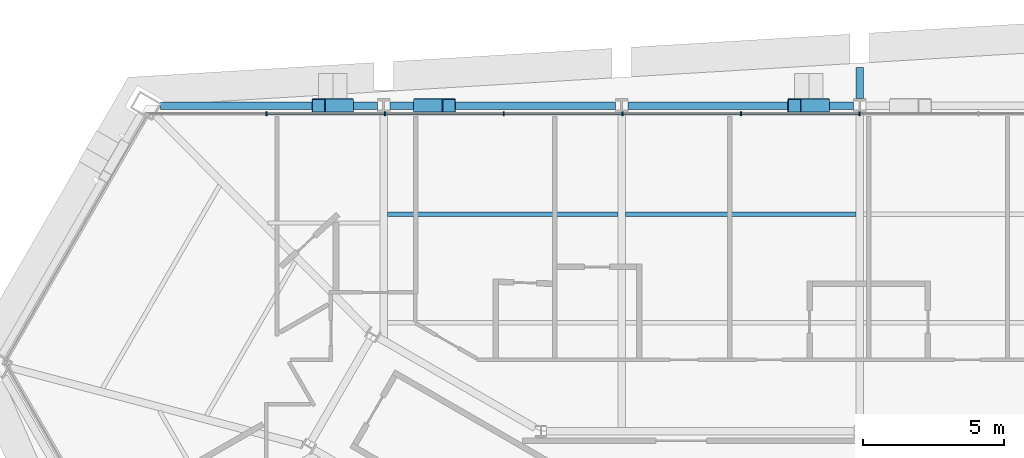
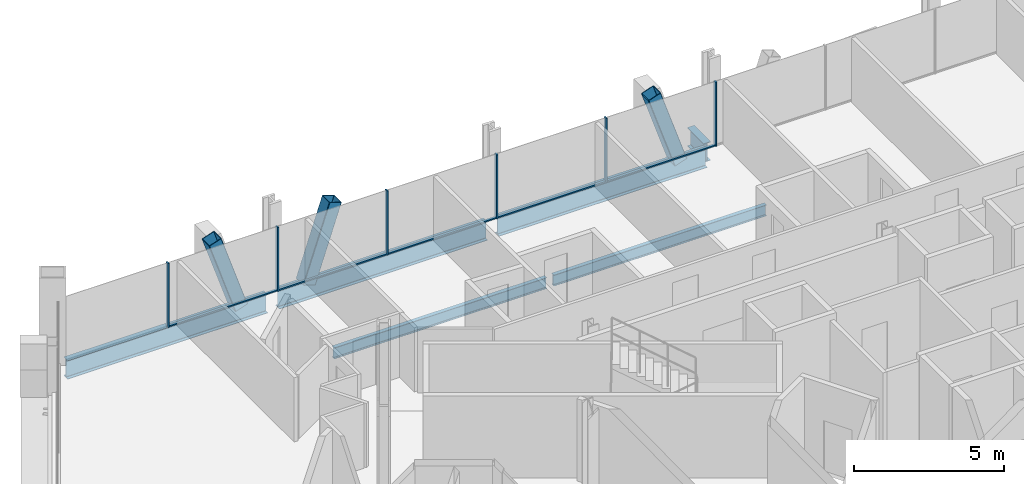
# One storey, part 6 of 17: 14 members, 6 beams, 1 element without a shape of its own.
"""IFC4 building model written with IfcOpenShell, lengths in metres."""

from ifc_helpers import new_model, si_unit, direction, frame, origin, origin_2d, place, context, subcontext, project, spatial, rectangle, hollow_rectangle, i_section, extrude, material, material_profile, profile_set, type_object, element, aggregate, save


model = new_model("IFC4")

# Units and contexts
model_context = context("Model", 3, precision=1e-05, world=origin(), true_north=direction((0.0, 1.0)))
body_context = subcontext(model_context, "Body", "Model", "MODEL_VIEW")
ifc_project = project(units=[si_unit("LENGTHUNIT", "METRE"), si_unit("AREAUNIT", "SQUARE_METRE"), si_unit("VOLUMEUNIT", "CUBIC_METRE"), si_unit("PLANEANGLEUNIT", "RADIAN"), si_unit("MASSUNIT", "GRAM", prefix="KILO")], contexts=[model_context])

# Site, building, storey
site_placement = place(None, origin())
site = spatial("IfcSite", under=ifc_project, at=site_placement, CompositionType="ELEMENT")
building_placement = place(site_placement, origin())
building = spatial("IfcBuilding", under=site, at=building_placement, Name="Verrane Prism Tower", CompositionType="ELEMENT")
storey_placement = place(building_placement, frame((0.0, 0.0, 40.39990234375)))
storey = spatial("IfcBuildingStorey", under=building, at=storey_placement, Name="L07", CompositionType="ELEMENT", Elevation=40.39990234375)

# Members
ifc_material_1 = material(Name="Steel A1085 Grade A", Category="steel")
ifc_material_profile_1 = material_profile(ifc_material_1, hollow_rectangle(XDim=0.508056640625, YDim=0.508056640625, WallThickness=0.025390625, InnerFilletRadius=0.0126953125, OuterFilletRadius=0.0380859375, at=origin_2d()), Name="HSS20x20x1")
ifc_profile_set_1 = profile_set([ifc_material_profile_1], Name="Steel A1085 Grade A")
member_type_1 = type_object("IfcMemberType", Name="Facade brace HSS20x20x1", PredefinedType="BRACE", material=ifc_profile_set_1)
for number, where, z_axis, x_axis, name in (
    (1, (-1.307861328125, 20.77001953125, -0.242431640625), (-0.318304411542, 0.0, 0.947988555623), (0.0, -1.0, 0.0), "Facade brace N3 L07"),
    (2, (-15.612060546875, 20.77001953125, -0.242431640625), (0.318235263597, 0.0, 0.948011770498), (0.0, 1.0, 0.0), "Facade brace N4 L07"),
):
    element("IfcMember", number, at=place(storey_placement, frame(where, z_axis=z_axis, x_axis=x_axis)), inside=storey, type_object=member_type_1, Name=name, PredefinedType="BRACE", context=body_context, shape_type="SweptSolid", body=[
        extrude(hollow_rectangle(XDim=0.508056640625, YDim=0.508056640625, WallThickness=0.025390625, InnerFilletRadius=0.0126953125, OuterFilletRadius=0.0380859375, at=origin_2d()), origin(), (0.0, 0.0, 1.0), 3.173095703125),
    ])
member_1_placement = place(storey_placement, frame((-18.226318359375, 20.77001953125, -0.242431640625), z_axis=(-0.317958621026, 0.0, 0.948104590916), x_axis=(0.0, -1.0, 0.0)))
element("IfcMember", 3, at=member_1_placement, inside=storey, type_object=member_type_1, Name="Facade brace N5 L07", PredefinedType="BRACE", context=body_context, shape_type="SweptSolid", body=[
    extrude(hollow_rectangle(XDim=0.508056640625, YDim=0.508056640625, WallThickness=0.025390625, InnerFilletRadius=0.0126953125, OuterFilletRadius=0.0380859375, at=origin_2d()), origin(), (0.0, 0.0, 1.0), 3.172607421875),
])

# Beams
ifc_material_2 = material(Name="Steel A992", Category="steel")
ifc_material_profile_2 = material_profile(ifc_material_2, i_section(OverallWidth=0.15234375, OverallDepth=0.449462890625, WebThickness=0.007568359375, FlangeThickness=0.0107421875, FilletRadius=0.01025390625, at=origin_2d()), Name="W18x35")
ifc_profile_set_2 = profile_set([ifc_material_profile_2], Name="Steel A992")
beam_type_1 = type_object("IfcBeamType", Name="Floor beam W18x35", PredefinedType="BEAM", material=ifc_profile_set_2)
beam_1_placement = place(storey_placement, frame((-8.326416015625, 16.913330078125, -0.384765625), z_axis=(1.0, 0.0, 0.0), x_axis=(0.0, 1.0, 0.0)))
element("IfcBeam", 4, at=beam_1_placement, inside=storey, type_object=beam_type_1, Name="Floor beam L07", PredefinedType="BEAM", context=body_context, shape_type="SweptSolid", body=[
    extrude(i_section(OverallWidth=0.15234375, OverallDepth=0.449462890625, WebThickness=0.007568359375, FlangeThickness=0.0107421875, FilletRadius=0.01025390625, at=origin_2d()), origin(), (0.0, 0.0, 1.0), 8.19287109375),
])
beam_2_placement = place(storey_placement, frame((-16.78662109375, 16.913330078125, -0.384765625), z_axis=(1.0, 0.0, 0.0), x_axis=(0.0, 1.0, 0.0)))
element("IfcBeam", 5, at=beam_2_placement, inside=storey, type_object=beam_type_1, Name="Floor beam L07", PredefinedType="BEAM", context=body_context, shape_type="SweptSolid", body=[
    extrude(i_section(OverallWidth=0.15234375, OverallDepth=0.449462890625, WebThickness=0.007568359375, FlangeThickness=0.0107421875, FilletRadius=0.01025390625, at=origin_2d()), origin(), (0.0, 0.0, 1.0), 8.193115234375),
])

# Curtain wall, members
ifc_material_3 = material(Name="Aluminium framed insulated glazing", Category="aluminium")
curtain_wall_type = type_object("IfcCurtainWallType", Name="Curtain wall CW-C 4200 module", PredefinedType="NOTDEFINED", material=ifc_material_3)
curtain_wall_placement = place(storey_placement, origin())
curtain_wall = element("IfcCurtainWall", 6, at=curtain_wall_placement, inside=storey, type_object=curtain_wall_type, Name="Glazed curtain wall north face L07", PredefinedType="NOTDEFINED")
ifc_material_4 = material(Name="Aluminium alloy 6063-T6", Category="aluminium")
ifc_material_profile_3 = material_profile(ifc_material_4, rectangle(XDim=0.139892578125, YDim=0.050048828125, at=origin_2d()), Name="Mullion 50x140 aluminium")
ifc_profile_set_3 = profile_set([ifc_material_profile_3], Name="Aluminium alloy 6063-T6")
member_type_2 = type_object("IfcMemberType", Name="Mullion 50x140 aluminium", PredefinedType="MULLION", material=ifc_profile_set_3)
member_2_placement = place(storey_placement, frame((0.0, 20.490966796875, 0.0), z_axis=(0.0, 0.0, 1.0), x_axis=(0.0, -1.0, 0.0)))
member_2 = element("IfcMember", 7, at=member_2_placement, type_object=member_type_2, Name="CW06.2 mullion 7", PredefinedType="MULLION", context=body_context, shape_type="SweptSolid", body=[
    extrude(rectangle(XDim=0.139892578125, YDim=0.050048828125, at=origin_2d()), origin(), (0.0, 0.0, 1.0), 2.613037109375),
])
member_3_placement = place(storey_placement, frame((-4.217041015625, 20.490966796875, 0.0), z_axis=(0.0, 0.0, 1.0), x_axis=(0.0, -1.0, 0.0)))
member_3 = element("IfcMember", 8, at=member_3_placement, type_object=member_type_2, Name="CW06.2 mullion 8", PredefinedType="MULLION", context=body_context, shape_type="SweptSolid", body=[
    extrude(rectangle(XDim=0.139892578125, YDim=0.050048828125, at=origin_2d()), origin(), (0.0, 0.0, 1.0), 2.613037109375),
])
member_4_placement = place(storey_placement, frame((-8.433837890625, 20.490966796875, 0.0), z_axis=(0.0, 0.0, 1.0), x_axis=(0.0, -1.0, 0.0)))
member_4 = element("IfcMember", 9, at=member_4_placement, type_object=member_type_2, Name="CW06.2 mullion 9", PredefinedType="MULLION", context=body_context, shape_type="SweptSolid", body=[
    extrude(rectangle(XDim=0.139892578125, YDim=0.050048828125, at=origin_2d()), origin(), (0.0, 0.0, 1.0), 2.613037109375),
])
member_5_placement = place(storey_placement, frame((-12.65087890625, 20.490966796875, 0.0), z_axis=(0.0, 0.0, 1.0), x_axis=(0.0, -1.0, 0.0)))
member_5 = element("IfcMember", 10, at=member_5_placement, type_object=member_type_2, Name="CW06.2 mullion 10", PredefinedType="MULLION", context=body_context, shape_type="SweptSolid", body=[
    extrude(rectangle(XDim=0.139892578125, YDim=0.050048828125, at=origin_2d()), origin(), (0.0, 0.0, 1.0), 2.613037109375),
])
member_6_placement = place(storey_placement, frame((-16.86767578125, 20.490966796875, 0.0), z_axis=(0.0, 0.0, 1.0), x_axis=(0.0, -1.0, 0.0)))
member_6 = element("IfcMember", 11, at=member_6_placement, type_object=member_type_2, Name="CW06.2 mullion 11", PredefinedType="MULLION", context=body_context, shape_type="SweptSolid", body=[
    extrude(rectangle(XDim=0.139892578125, YDim=0.050048828125, at=origin_2d()), origin(), (0.0, 0.0, 1.0), 2.613037109375),
])
member_7_placement = place(storey_placement, frame((-21.084716796875, 20.490966796875, 0.0), z_axis=(0.0, 0.0, 1.0), x_axis=(0.0, -1.0, 0.0)))
member_7 = element("IfcMember", 12, at=member_7_placement, type_object=member_type_2, Name="CW06.2 mullion 12", PredefinedType="MULLION", context=body_context, shape_type="SweptSolid", body=[
    extrude(rectangle(XDim=0.139892578125, YDim=0.050048828125, at=origin_2d()), origin(), (0.0, 0.0, 1.0), 2.613037109375),
])

# Beams
ifc_material_5 = material(Name="Steel A992", Category="steel")
ifc_material_profile_4 = material_profile(ifc_material_5, i_section(OverallWidth=0.2666015625, OverallDepth=0.76708984375, WebThickness=0.014892578125, FlangeThickness=0.023681640625, FilletRadius=0.0166015625, at=origin_2d()), Name="W30x124")
ifc_profile_set_4 = profile_set([ifc_material_profile_4], Name="Steel A992")
beam_type_2 = type_object("IfcBeamType", Name="Radial girder W30x124", PredefinedType="BEAM", material=ifc_profile_set_4)
beam_3_placement = place(storey_placement, frame((0.0, 21.031494140625, -0.603515625), z_axis=(0.0, 1.0, 0.0), x_axis=(-1.0, 0.0, 0.0)))
element("IfcBeam", 13, at=beam_3_placement, inside=storey, type_object=beam_type_2, Name="Cantilever girder L07", PredefinedType="BEAM", context=body_context, shape_type="SweptSolid", body=[
    extrude(i_section(OverallWidth=0.2666015625, OverallDepth=0.76708984375, WebThickness=0.014892578125, FlangeThickness=0.023681640625, FilletRadius=0.0166015625, at=origin_2d()), origin(), (0.0, 0.0, 1.0), 1.100341796875),
])
ifc_material_6 = material(Name="Steel A992", Category="steel")
ifc_material_profile_5 = material_profile(ifc_material_6, i_section(OverallWidth=0.2666015625, OverallDepth=0.7568359375, WebThickness=0.013916015625, FlangeThickness=0.019287109375, FilletRadius=0.0166015625, at=origin_2d()), Name="W30x108")
ifc_profile_set_5 = profile_set([ifc_material_profile_5], Name="Steel A992")
beam_type_3 = type_object("IfcBeamType", Name="Spandrel beam W30x108", PredefinedType="SPANDREL", material=ifc_profile_set_5)
for number, where, z_axis, x_axis, name in (
    (14, (-0.220947265625, 20.77001953125, -0.538330078125), (-1.0, 0.0, 0.0), (0.0, -1.0, 0.0), "Spandrel beam L07"),
    (15, (-8.680908203125, 20.77001953125, -0.538330078125), (-1.0, 0.0, 0.0), (0.0, -1.0, 0.0), "Spandrel beam L07"),
):
    element("IfcBeam", number, at=place(storey_placement, frame(where, z_axis=z_axis, x_axis=x_axis)), inside=storey, type_object=beam_type_3, Name=name, PredefinedType="SPANDREL", context=body_context, shape_type="SweptSolid", body=[
        extrude(i_section(OverallWidth=0.2666015625, OverallDepth=0.7568359375, WebThickness=0.013916015625, FlangeThickness=0.019287109375, FilletRadius=0.0166015625, at=origin_2d()), origin(), (0.0, 0.0, 1.0), 8.01806640625),
    ])
beam_4_placement = place(storey_placement, frame((-17.14111328125, 20.77001953125, -0.538330078125), z_axis=(-1.0, 0.0, 0.0), x_axis=(0.0, -1.0, 0.0)))
element("IfcBeam", 16, at=beam_4_placement, inside=storey, type_object=beam_type_3, Name="Spandrel beam L07", PredefinedType="SPANDREL", context=body_context, shape_type="SweptSolid", body=[
    extrude(i_section(OverallWidth=0.2666015625, OverallDepth=0.7568359375, WebThickness=0.013916015625, FlangeThickness=0.019287109375, FilletRadius=0.0166015625, at=origin_2d()), origin(), (0.0, 0.0, 1.0), 7.709228515625),
])

# Member
ifc_material_7 = material(Name="Aluminium alloy 6063-T6", Category="aluminium")
ifc_material_profile_6 = material_profile(ifc_material_7, rectangle(XDim=0.10009765625, YDim=0.050048828125, at=origin_2d()), Name="Transom 50x100 aluminium")
ifc_profile_set_6 = profile_set([ifc_material_profile_6], Name="Aluminium alloy 6063-T6")
member_type_3 = type_object("IfcMemberType", Name="Transom 50x100 aluminium", PredefinedType="USERDEFINED", material=ifc_profile_set_6)
member_8_placement = place(storey_placement, frame((-0.02490234375, 20.490966796875, 0.025146484375), z_axis=(-1.0, 0.0, 0.0), x_axis=(0.0, -1.0, 0.0)))
member_8 = element("IfcMember", 17, at=member_8_placement, type_object=member_type_3, Name="CW06.2 transom 7", ObjectType="TRANSOM", PredefinedType="USERDEFINED", context=body_context, shape_type="SweptSolid", body=[
    extrude(rectangle(XDim=0.10009765625, YDim=0.050048828125, at=origin_2d()), origin(), (0.0, 0.0, 1.0), 4.1669921875),
])

member_9_placement = place(storey_placement, frame((-4.241943359375, 20.490966796875, 0.025146484375), z_axis=(-1.0, 0.0, 0.0), x_axis=(0.0, -1.0, 0.0)))
member_9 = element("IfcMember", 18, at=member_9_placement, type_object=member_type_3, Name="CW06.2 transom 8", ObjectType="TRANSOM", PredefinedType="USERDEFINED", context=body_context, shape_type="SweptSolid", body=[
    extrude(rectangle(XDim=0.10009765625, YDim=0.050048828125, at=origin_2d()), origin(), (0.0, 0.0, 1.0), 4.1669921875),
])

member_10_placement = place(storey_placement, frame((-8.458984375, 20.490966796875, 0.025146484375), z_axis=(-1.0, 0.0, 0.0), x_axis=(0.0, -1.0, 0.0)))
member_10 = element("IfcMember", 19, at=member_10_placement, type_object=member_type_3, Name="CW06.2 transom 9", ObjectType="TRANSOM", PredefinedType="USERDEFINED", context=body_context, shape_type="SweptSolid", body=[
    extrude(rectangle(XDim=0.10009765625, YDim=0.050048828125, at=origin_2d()), origin(), (0.0, 0.0, 1.0), 4.166748046875),
])

member_11_placement = place(storey_placement, frame((-12.67578125, 20.490966796875, 0.025146484375), z_axis=(-1.0, 0.0, 0.0), x_axis=(0.0, -1.0, 0.0)))
member_11 = element("IfcMember", 20, at=member_11_placement, type_object=member_type_3, Name="CW06.2 transom 10", ObjectType="TRANSOM", PredefinedType="USERDEFINED", context=body_context, shape_type="SweptSolid", body=[
    extrude(rectangle(XDim=0.10009765625, YDim=0.050048828125, at=origin_2d()), origin(), (0.0, 0.0, 1.0), 4.1669921875),
])

member_12_placement = place(storey_placement, frame((-16.892822265625, 20.490966796875, 0.025146484375), z_axis=(-1.0, 0.0, 0.0), x_axis=(0.0, -1.0, 0.0)))
member_12 = element("IfcMember", 21, at=member_12_placement, type_object=member_type_3, Name="CW06.2 transom 11", ObjectType="TRANSOM", PredefinedType="USERDEFINED", context=body_context, shape_type="SweptSolid", body=[
    extrude(rectangle(XDim=0.10009765625, YDim=0.050048828125, at=origin_2d()), origin(), (0.0, 0.0, 1.0), 4.166748046875),
])

aggregate(curtain_wall, [member_2, member_3, member_4, member_5, member_6, member_7, member_8, member_9, member_10, member_11, member_12])

save(model, "model.ifc")
